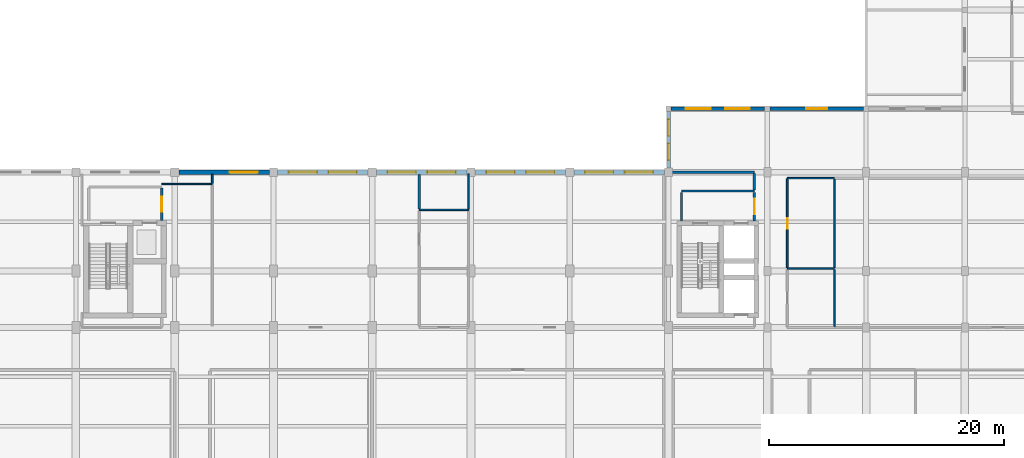
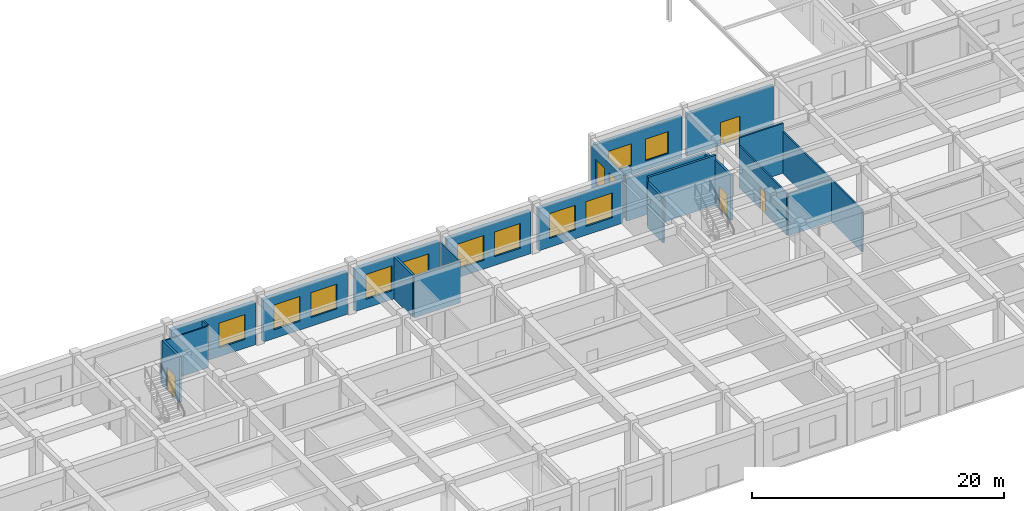
# One storey, part 60 of 80: 24 walls, 13 windows, 4 doors, 17 openings.
"""IFC4 building model written with IfcOpenShell, lengths in metres."""

from ifc_helpers import new_model, si_unit, direction, frame, frame_2d, origin, place, context, subcontext, project, spatial, rectangle, extrude, material, layer, layer_set, type_object, element, fill, save


model = new_model("IFC4")

# Units and contexts
model_context = context("Model", 3, precision=1e-05, world=origin(), true_north=direction((0.0, 1.0)))
body_context = subcontext(model_context, "Body", "Model", "MODEL_VIEW")
ifc_project = project(units=[si_unit("LENGTHUNIT", "METRE"), si_unit("AREAUNIT", "SQUARE_METRE"), si_unit("VOLUMEUNIT", "CUBIC_METRE"), si_unit("PLANEANGLEUNIT", "RADIAN"), si_unit("MASSUNIT", "GRAM", prefix="KILO")], contexts=[model_context])

# Site, building, storey
site_placement = place(None, origin())
site = spatial("IfcSite", under=ifc_project, at=site_placement, CompositionType="ELEMENT")
building_placement = place(site_placement, origin())
building = spatial("IfcBuilding", under=site, at=building_placement, Name="Krzemoval Escarpment Law Courts", CompositionType="ELEMENT")
storey_placement = place(building_placement, origin())
storey = spatial("IfcBuildingStorey", under=building, at=storey_placement, Name="L00", CompositionType="ELEMENT", Elevation=0.0)

# Wall, openings, windows
ifc_material_1 = material(Name="Precast concrete C40/50", Category="concrete")
ifc_layer_1 = layer(ifc_material_1, 0.300048828125)
ifc_layer_set_1 = layer_set([ifc_layer_1], Name="Precast concrete C40/50")
wall_type_1 = type_object("IfcWallType", Name="WL-EXT-300", PredefinedType="SOLIDWALL", material=ifc_layer_set_1)
wall_1_placement = place(storey_placement, frame((109.199951171875, 35.75, 0.0), z_axis=(0.0, 0.0, 1.0), x_axis=(0.0, 1.0, 0.0)))
wall_1 = element("IfcWall", 1, at=wall_1_placement, inside=storey, type_object=wall_type_1, Name="Exterior Wall EW-L00-0152", PredefinedType="SOLIDWALL", context=body_context, shape_type="SweptSolid", body=[
    extrude(rectangle(XDim=4.824951171875, YDim=0.300048828125, at=frame_2d((2.41259765625, 0.0))), origin(), (0.0, 0.0, 1.0), 4.169921875),
])
opening_1_placement = place(wall_1_placement, frame((0.675048828125, 0.0, 0.85009765625)))
opening_1 = element("IfcOpeningElement", 2, at=opening_1_placement, cuts=wall_1, Name="Opening WN-L00-0110", PredefinedType="OPENING", context=body_context, shape_type="SweptSolid", body=[
    extrude(rectangle(XDim=1.39990234375, YDim=2.39990234375, at=frame_2d((0.699951171875, 1.199951171875))), frame((0.0, 0.16502, 0.0), z_axis=(0.0, -1.0, 0.0), x_axis=(1.0, 0.0, 0.0)), (0.0, 0.0, 1.0), 0.33005),
])
opening_2_placement = place(wall_1_placement, frame((2.75, 0.0, 0.85009765625)))
opening_2 = element("IfcOpeningElement", 3, at=opening_2_placement, cuts=wall_1, Name="Opening WN-L00-0111", PredefinedType="OPENING", context=body_context, shape_type="SweptSolid", body=[
    extrude(rectangle(XDim=1.39990234375, YDim=2.39990234375, at=frame_2d((0.699951171875, 1.199951171875))), frame((0.0, 0.16502, 0.0), z_axis=(0.0, -1.0, 0.0), x_axis=(1.0, 0.0, 0.0)), (0.0, 0.0, 1.0), 0.33005),
])
ifc_material_2 = material(Name="Thermally Broken Aluminium Frame with Triple Low-E Acoustic Glass", Category="aluminium")
window_type_1 = type_object("IfcWindowType", Name="WN-1400x2400", PartitioningType="SINGLE_PANEL", PredefinedType="WINDOW", material=ifc_material_2)
window_1_placement = place(opening_1_placement, origin())
window_1 = element("IfcWindow", 4, at=window_1_placement, inside=storey, type_object=window_type_1, Name="Facade Window WN-L00-0110", OverallHeight=2.39990234375, OverallWidth=1.39990234375, PartitioningType="SINGLE_PANEL", PredefinedType="WINDOW", context=body_context, shape_type="SweptSolid", body=[
    extrude(rectangle(XDim=1.39990234375, YDim=2.39990234375, at=frame_2d((0.699951171875, 1.199951171875))), frame((0.0, 0.030029296875, 0.0), z_axis=(0.0, -1.0, 0.0), x_axis=(1.0, 0.0, 0.0)), (0.0, 0.0, 1.0), 0.06005859375),
])
fill(opening_1, window_1)
window_2_placement = place(opening_2_placement, origin())
window_2 = element("IfcWindow", 5, at=window_2_placement, inside=storey, type_object=window_type_1, Name="Facade Window WN-L00-0111", OverallHeight=2.39990234375, OverallWidth=1.39990234375, PartitioningType="SINGLE_PANEL", PredefinedType="WINDOW", context=body_context, shape_type="SweptSolid", body=[
    extrude(rectangle(XDim=1.39990234375, YDim=2.39990234375, at=frame_2d((0.699951171875, 1.199951171875))), frame((0.0, 0.030029296875, 0.0), z_axis=(0.0, -1.0, 0.0), x_axis=(1.0, 0.0, 0.0)), (0.0, 0.0, 1.0), 0.06005859375),
])
fill(opening_2, window_2)

wall_2_placement = place(storey_placement, frame((109.425048828125, 40.800048828125, 0.0), z_axis=(0.0, 0.0, 1.0), x_axis=(1.0, 0.0, 0.0)))
wall_2 = element("IfcWall", 6, at=wall_2_placement, inside=storey, type_object=wall_type_1, Name="Exterior Wall EW-L00-0153", PredefinedType="SOLIDWALL", context=body_context, shape_type="SweptSolid", body=[
    extrude(rectangle(XDim=7.949951171875, YDim=0.300048828125, at=frame_2d((3.97509765625, 0.0))), origin(), (0.0, 0.0, 1.0), 4.070068359375),
])
opening_3_placement = place(wall_2_placement, frame((1.25, 0.0, 0.89990234375)))
opening_3 = element("IfcOpeningElement", 7, at=opening_3_placement, cuts=wall_2, Name="Opening WN-L00-0112", PredefinedType="OPENING", context=body_context, shape_type="SweptSolid", body=[
    extrude(rectangle(XDim=2.10009765625, YDim=2.10009765625, at=frame_2d((1.050048828125, 1.050048828125))), frame((0.0, 0.16502, 0.0), z_axis=(0.0, -1.0, 0.0), x_axis=(1.0, 0.0, 0.0)), (0.0, 0.0, 1.0), 0.33005),
])
opening_4_placement = place(wall_2_placement, frame((4.60009765625, 0.0, 0.89990234375)))
opening_4 = element("IfcOpeningElement", 8, at=opening_4_placement, cuts=wall_2, Name="Opening WN-L00-0113", PredefinedType="OPENING", context=body_context, shape_type="SweptSolid", body=[
    extrude(rectangle(XDim=2.10009765625, YDim=2.10009765625, at=frame_2d((1.050048828125, 1.050048828125))), frame((0.0, 0.16502, 0.0), z_axis=(0.0, -1.0, 0.0), x_axis=(1.0, 0.0, 0.0)), (0.0, 0.0, 1.0), 0.33005),
])
ifc_material_3 = material(Name="Thermally Broken Aluminium Frame with Triple Low-E Acoustic Glass", Category="aluminium")
window_type_2 = type_object("IfcWindowType", Name="WN-2100x2100", PartitioningType="SINGLE_PANEL", PredefinedType="WINDOW", material=ifc_material_3)
window_3_placement = place(opening_3_placement, origin())
window_3 = element("IfcWindow", 9, at=window_3_placement, inside=storey, type_object=window_type_2, Name="Facade Window WN-L00-0112", OverallHeight=2.10009765625, OverallWidth=2.10009765625, PartitioningType="SINGLE_PANEL", PredefinedType="WINDOW", context=body_context, shape_type="SweptSolid", body=[
    extrude(rectangle(XDim=2.10009765625, YDim=2.10009765625, at=frame_2d((1.050048828125, 1.050048828125))), frame((0.0, 0.030029296875, 0.0), z_axis=(0.0, -1.0, 0.0), x_axis=(1.0, 0.0, 0.0)), (0.0, 0.0, 1.0), 0.06005859375),
])
fill(opening_3, window_3)
window_4_placement = place(opening_4_placement, origin())
window_4 = element("IfcWindow", 10, at=window_4_placement, inside=storey, type_object=window_type_2, Name="Facade Window WN-L00-0113", OverallHeight=2.10009765625, OverallWidth=2.10009765625, PartitioningType="SINGLE_PANEL", PredefinedType="WINDOW", context=body_context, shape_type="SweptSolid", body=[
    extrude(rectangle(XDim=2.10009765625, YDim=2.10009765625, at=frame_2d((1.050048828125, 1.050048828125))), frame((0.0, 0.030029296875, 0.0), z_axis=(0.0, -1.0, 0.0), x_axis=(1.0, 0.0, 0.0)), (0.0, 0.0, 1.0), 0.06005859375),
])
fill(opening_4, window_4)

# Wall, opening, door
wall_3_placement = place(storey_placement, frame((117.824951171875, 40.800048828125, 0.0), z_axis=(0.0, 0.0, 1.0), x_axis=(1.0, 0.0, 0.0)))
wall_3 = element("IfcWall", 11, at=wall_3_placement, inside=storey, type_object=wall_type_1, Name="Exterior Wall EW-L00-0154", PredefinedType="SOLIDWALL", context=body_context, shape_type="SweptSolid", body=[
    extrude(rectangle(XDim=7.949951171875, YDim=0.300048828125, at=frame_2d((3.97509765625, 0.0))), origin(), (0.0, 0.0, 1.0), 4.070068359375),
])
opening_5_placement = place(wall_3_placement, frame((3.074951171875, 0.0, 0.0)))
opening_5 = element("IfcOpeningElement", 12, at=opening_5_placement, cuts=wall_3, Name="Opening E06B", PredefinedType="OPENING", context=body_context, shape_type="SweptSolid", body=[
    extrude(rectangle(XDim=1.800048828125, YDim=2.199951171875, at=frame_2d((0.89990234375, 1.10009765625))), frame((0.0, 0.16502, 0.0), z_axis=(0.0, -1.0, 0.0), x_axis=(1.0, 0.0, 0.0)), (0.0, 0.0, 1.0), 0.33005),
])
ifc_material_4 = material(Name="Galvanised Steel S355", Category="steel")
door_type_1 = type_object("IfcDoorType", Name="DR-EXIT-1800x2200", OperationType="SINGLE_SWING_LEFT", PredefinedType="DOOR", material=ifc_material_4)
door_1_placement = place(opening_5_placement, origin())
door_1 = element("IfcDoor", 13, at=door_1_placement, inside=storey, type_object=door_type_1, Name="Final Exit Discharge Door E06B (Stair ST6 Escarpment Passage)", OperationType="DOUBLE_DOOR_SINGLE_SWING", OverallHeight=2.199951171875, OverallWidth=1.800048828125, PredefinedType="DOOR", context=body_context, shape_type="SweptSolid", body=[
    extrude(rectangle(XDim=1.800048828125, YDim=2.199951171875, at=frame_2d((0.89990234375, 1.10009765625))), frame((0.0, 0.02490234375, 0.0), z_axis=(0.0, -1.0, 0.0), x_axis=(1.0, 0.0, 0.0)), (0.0, 0.0, 1.0), 0.050048828125),
])
fill(opening_5, door_1)

# Wall, opening, window
ifc_material_5 = material(Name="Precast concrete C40/50", Category="concrete")
ifc_layer_2 = layer(ifc_material_5, 0.360107421875)
ifc_layer_set_2 = layer_set([ifc_layer_2], Name="Precast concrete C40/50")
wall_type_2 = type_object("IfcWallType", Name="WL-EXT-360", PredefinedType="SOLIDWALL", material=ifc_layer_set_2)
wall_4_placement = place(storey_placement, frame((67.550048828125, 35.39990234375, 0.0), z_axis=(0.0, 0.0, 1.0), x_axis=(1.0, 0.0, 0.0)))
wall_4 = element("IfcWall", 14, at=wall_4_placement, inside=storey, type_object=wall_type_2, Name="Exterior Wall EW-L00-0171", PredefinedType="SOLIDWALL", context=body_context, shape_type="SweptSolid", body=[
    extrude(rectangle(XDim=7.699951171875, YDim=0.360107421875, at=frame_2d((3.85009765625, 0.0))), origin(), (0.0, 0.0, 1.0), 4.070068359375),
])
opening_6_placement = place(wall_4_placement, frame((4.3330078125, 0.0, 0.85009765625)))
opening_6 = element("IfcOpeningElement", 15, at=opening_6_placement, cuts=wall_4, Name="Opening WN-L00-0138", PredefinedType="OPENING", context=body_context, shape_type="SweptSolid", body=[
    extrude(rectangle(XDim=2.39990234375, YDim=2.39990234375, at=frame_2d((1.199951171875, 1.199951171875))), frame((0.0, 0.19505, 0.0), z_axis=(0.0, -1.0, 0.0), x_axis=(1.0, 0.0, 0.0)), (0.0, 0.0, 1.0), 0.39011),
])
ifc_material_6 = material(Name="Thermally Broken Aluminium Frame with Triple Low-E Acoustic Glass", Category="aluminium")
window_type_3 = type_object("IfcWindowType", Name="WN-2400x2400", PartitioningType="SINGLE_PANEL", PredefinedType="WINDOW", material=ifc_material_6)
window_5_placement = place(opening_6_placement, origin())
window_5 = element("IfcWindow", 16, at=window_5_placement, inside=storey, type_object=window_type_3, Name="Facade Window WN-L00-0138", OverallHeight=2.39990234375, OverallWidth=2.39990234375, PartitioningType="SINGLE_PANEL", PredefinedType="WINDOW", context=body_context, shape_type="SweptSolid", body=[
    extrude(rectangle(XDim=2.39990234375, YDim=2.39990234375, at=frame_2d((1.199951171875, 1.199951171875))), frame((0.0, 0.030029296875, 0.0), z_axis=(0.0, -1.0, 0.0), x_axis=(1.0, 0.0, 0.0)), (0.0, 0.0, 1.0), 0.06005859375),
])
fill(opening_6, window_5)

# Wall, openings, windows
wall_5_placement = place(storey_placement, frame((75.949951171875, 35.39990234375, 0.0), z_axis=(0.0, 0.0, 1.0), x_axis=(1.0, 0.0, 0.0)))
wall_5 = element("IfcWall", 17, at=wall_5_placement, inside=storey, type_object=wall_type_2, Name="Exterior Wall EW-L00-0172", PredefinedType="SOLIDWALL", context=body_context, shape_type="SweptSolid", body=[
    extrude(rectangle(XDim=7.699951171875, YDim=0.360107421875, at=frame_2d((3.85009765625, 0.0))), origin(), (0.0, 0.0, 1.0), 4.070068359375),
])
opening_7_placement = place(wall_5_placement, frame((0.967041015625, 0.0, 0.85009765625)))
opening_7 = element("IfcOpeningElement", 18, at=opening_7_placement, cuts=wall_5, Name="Opening WN-L00-0139", PredefinedType="OPENING", context=body_context, shape_type="SweptSolid", body=[
    extrude(rectangle(XDim=2.39990234375, YDim=2.39990234375, at=frame_2d((1.199951171875, 1.199951171875))), frame((0.0, 0.19505, 0.0), z_axis=(0.0, -1.0, 0.0), x_axis=(1.0, 0.0, 0.0)), (0.0, 0.0, 1.0), 0.39011),
])
opening_8_placement = place(wall_5_placement, frame((4.3330078125, 0.0, 0.85009765625)))
opening_8 = element("IfcOpeningElement", 19, at=opening_8_placement, cuts=wall_5, Name="Opening WN-L00-0140", PredefinedType="OPENING", context=body_context, shape_type="SweptSolid", body=[
    extrude(rectangle(XDim=2.39990234375, YDim=2.39990234375, at=frame_2d((1.199951171875, 1.199951171875))), frame((0.0, 0.19505, 0.0), z_axis=(0.0, -1.0, 0.0), x_axis=(1.0, 0.0, 0.0)), (0.0, 0.0, 1.0), 0.39011),
])
window_6_placement = place(opening_7_placement, origin())
window_6 = element("IfcWindow", 20, at=window_6_placement, inside=storey, type_object=window_type_3, Name="Facade Window WN-L00-0139", OverallHeight=2.39990234375, OverallWidth=2.39990234375, PartitioningType="SINGLE_PANEL", PredefinedType="WINDOW", context=body_context, shape_type="SweptSolid", body=[
    extrude(rectangle(XDim=2.39990234375, YDim=2.39990234375, at=frame_2d((1.199951171875, 1.199951171875))), frame((0.0, 0.030029296875, 0.0), z_axis=(0.0, -1.0, 0.0), x_axis=(1.0, 0.0, 0.0)), (0.0, 0.0, 1.0), 0.06005859375),
])
fill(opening_7, window_6)
window_7_placement = place(opening_8_placement, origin())
window_7 = element("IfcWindow", 21, at=window_7_placement, inside=storey, type_object=window_type_3, Name="Facade Window WN-L00-0140", OverallHeight=2.39990234375, OverallWidth=2.39990234375, PartitioningType="SINGLE_PANEL", PredefinedType="WINDOW", context=body_context, shape_type="SweptSolid", body=[
    extrude(rectangle(XDim=2.39990234375, YDim=2.39990234375, at=frame_2d((1.199951171875, 1.199951171875))), frame((0.0, 0.030029296875, 0.0), z_axis=(0.0, -1.0, 0.0), x_axis=(1.0, 0.0, 0.0)), (0.0, 0.0, 1.0), 0.06005859375),
])
fill(opening_8, window_7)

wall_6_placement = place(storey_placement, frame((84.35009765625, 35.39990234375, 0.0), z_axis=(0.0, 0.0, 1.0), x_axis=(1.0, 0.0, 0.0)))
wall_6 = element("IfcWall", 22, at=wall_6_placement, inside=storey, type_object=wall_type_2, Name="Exterior Wall EW-L00-0173", PredefinedType="SOLIDWALL", context=body_context, shape_type="SweptSolid", body=[
    extrude(rectangle(XDim=7.699951171875, YDim=0.360107421875, at=frame_2d((3.85009765625, 0.0))), origin(), (0.0, 0.0, 1.0), 4.070068359375),
])
opening_9_placement = place(wall_6_placement, frame((0.967041015625, 0.0, 0.85009765625)))
opening_9 = element("IfcOpeningElement", 23, at=opening_9_placement, cuts=wall_6, Name="Opening WN-L00-0141", PredefinedType="OPENING", context=body_context, shape_type="SweptSolid", body=[
    extrude(rectangle(XDim=2.39990234375, YDim=2.39990234375, at=frame_2d((1.199951171875, 1.199951171875))), frame((0.0, 0.19505, 0.0), z_axis=(0.0, -1.0, 0.0), x_axis=(1.0, 0.0, 0.0)), (0.0, 0.0, 1.0), 0.39011),
])
opening_10_placement = place(wall_6_placement, frame((4.3330078125, 0.0, 0.85009765625)))
opening_10 = element("IfcOpeningElement", 24, at=opening_10_placement, cuts=wall_6, Name="Opening WN-L00-0142", PredefinedType="OPENING", context=body_context, shape_type="SweptSolid", body=[
    extrude(rectangle(XDim=2.39990234375, YDim=2.39990234375, at=frame_2d((1.199951171875, 1.199951171875))), frame((0.0, 0.19505, 0.0), z_axis=(0.0, -1.0, 0.0), x_axis=(1.0, 0.0, 0.0)), (0.0, 0.0, 1.0), 0.39011),
])
window_8_placement = place(opening_9_placement, origin())
window_8 = element("IfcWindow", 25, at=window_8_placement, inside=storey, type_object=window_type_3, Name="Facade Window WN-L00-0141", OverallHeight=2.39990234375, OverallWidth=2.39990234375, PartitioningType="SINGLE_PANEL", PredefinedType="WINDOW", context=body_context, shape_type="SweptSolid", body=[
    extrude(rectangle(XDim=2.39990234375, YDim=2.39990234375, at=frame_2d((1.199951171875, 1.199951171875))), frame((0.0, 0.030029296875, 0.0), z_axis=(0.0, -1.0, 0.0), x_axis=(1.0, 0.0, 0.0)), (0.0, 0.0, 1.0), 0.06005859375),
])
fill(opening_9, window_8)
window_9_placement = place(opening_10_placement, origin())
window_9 = element("IfcWindow", 26, at=window_9_placement, inside=storey, type_object=window_type_3, Name="Facade Window WN-L00-0142", OverallHeight=2.39990234375, OverallWidth=2.39990234375, PartitioningType="SINGLE_PANEL", PredefinedType="WINDOW", context=body_context, shape_type="SweptSolid", body=[
    extrude(rectangle(XDim=2.39990234375, YDim=2.39990234375, at=frame_2d((1.199951171875, 1.199951171875))), frame((0.0, 0.030029296875, 0.0), z_axis=(0.0, -1.0, 0.0), x_axis=(1.0, 0.0, 0.0)), (0.0, 0.0, 1.0), 0.06005859375),
])
fill(opening_10, window_9)

wall_7_placement = place(storey_placement, frame((92.75, 35.39990234375, 0.0), z_axis=(0.0, 0.0, 1.0), x_axis=(1.0, 0.0, 0.0)))
wall_7 = element("IfcWall", 27, at=wall_7_placement, inside=storey, type_object=wall_type_2, Name="Exterior Wall EW-L00-0174", PredefinedType="SOLIDWALL", context=body_context, shape_type="SweptSolid", body=[
    extrude(rectangle(XDim=7.699951171875, YDim=0.360107421875, at=frame_2d((3.85009765625, 0.0))), origin(), (0.0, 0.0, 1.0), 4.070068359375),
])
opening_11_placement = place(wall_7_placement, frame((0.967041015625, 0.0, 0.85009765625)))
opening_11 = element("IfcOpeningElement", 28, at=opening_11_placement, cuts=wall_7, Name="Opening WN-L00-0143", PredefinedType="OPENING", context=body_context, shape_type="SweptSolid", body=[
    extrude(rectangle(XDim=2.39990234375, YDim=2.39990234375, at=frame_2d((1.199951171875, 1.199951171875))), frame((0.0, 0.19505, 0.0), z_axis=(0.0, -1.0, 0.0), x_axis=(1.0, 0.0, 0.0)), (0.0, 0.0, 1.0), 0.39011),
])
opening_12_placement = place(wall_7_placement, frame((4.3330078125, 0.0, 0.85009765625)))
opening_12 = element("IfcOpeningElement", 29, at=opening_12_placement, cuts=wall_7, Name="Opening WN-L00-0144", PredefinedType="OPENING", context=body_context, shape_type="SweptSolid", body=[
    extrude(rectangle(XDim=2.39990234375, YDim=2.39990234375, at=frame_2d((1.199951171875, 1.199951171875))), frame((0.0, 0.19505, 0.0), z_axis=(0.0, -1.0, 0.0), x_axis=(1.0, 0.0, 0.0)), (0.0, 0.0, 1.0), 0.39011),
])
window_10_placement = place(opening_11_placement, origin())
window_10 = element("IfcWindow", 30, at=window_10_placement, inside=storey, type_object=window_type_3, Name="Facade Window WN-L00-0143", OverallHeight=2.39990234375, OverallWidth=2.39990234375, PartitioningType="SINGLE_PANEL", PredefinedType="WINDOW", context=body_context, shape_type="SweptSolid", body=[
    extrude(rectangle(XDim=2.39990234375, YDim=2.39990234375, at=frame_2d((1.199951171875, 1.199951171875))), frame((0.0, 0.030029296875, 0.0), z_axis=(0.0, -1.0, 0.0), x_axis=(1.0, 0.0, 0.0)), (0.0, 0.0, 1.0), 0.06005859375),
])
fill(opening_11, window_10)
window_11_placement = place(opening_12_placement, origin())
window_11 = element("IfcWindow", 31, at=window_11_placement, inside=storey, type_object=window_type_3, Name="Facade Window WN-L00-0144", OverallHeight=2.39990234375, OverallWidth=2.39990234375, PartitioningType="SINGLE_PANEL", PredefinedType="WINDOW", context=body_context, shape_type="SweptSolid", body=[
    extrude(rectangle(XDim=2.39990234375, YDim=2.39990234375, at=frame_2d((1.199951171875, 1.199951171875))), frame((0.0, 0.030029296875, 0.0), z_axis=(0.0, -1.0, 0.0), x_axis=(1.0, 0.0, 0.0)), (0.0, 0.0, 1.0), 0.06005859375),
])
fill(opening_12, window_11)

wall_8_placement = place(storey_placement, frame((101.14990234375, 35.39990234375, 0.0), z_axis=(0.0, 0.0, 1.0), x_axis=(1.0, 0.0, 0.0)))
wall_8 = element("IfcWall", 32, at=wall_8_placement, inside=storey, type_object=wall_type_2, Name="Exterior Wall EW-L00-0175", PredefinedType="SOLIDWALL", context=body_context, shape_type="SweptSolid", body=[
    extrude(rectangle(XDim=7.7001953125, YDim=0.360107421875, at=frame_2d((3.85009765625, 0.0))), origin(), (0.0, 0.0, 1.0), 4.070068359375),
])
opening_13_placement = place(wall_8_placement, frame((0.967041015625, 0.0, 0.85009765625)))
opening_13 = element("IfcOpeningElement", 33, at=opening_13_placement, cuts=wall_8, Name="Opening WN-L00-0145", PredefinedType="OPENING", context=body_context, shape_type="SweptSolid", body=[
    extrude(rectangle(XDim=2.39990234375, YDim=2.39990234375, at=frame_2d((1.199951171875, 1.199951171875))), frame((0.0, 0.19505, 0.0), z_axis=(0.0, -1.0, 0.0), x_axis=(1.0, 0.0, 0.0)), (0.0, 0.0, 1.0), 0.39011),
])
opening_14_placement = place(wall_8_placement, frame((4.3330078125, 0.0, 0.85009765625)))
opening_14 = element("IfcOpeningElement", 34, at=opening_14_placement, cuts=wall_8, Name="Opening WN-L00-0146", PredefinedType="OPENING", context=body_context, shape_type="SweptSolid", body=[
    extrude(rectangle(XDim=2.39990234375, YDim=2.39990234375, at=frame_2d((1.199951171875, 1.199951171875))), frame((0.0, 0.19505, 0.0), z_axis=(0.0, -1.0, 0.0), x_axis=(1.0, 0.0, 0.0)), (0.0, 0.0, 1.0), 0.39011),
])
window_12_placement = place(opening_13_placement, origin())
window_12 = element("IfcWindow", 35, at=window_12_placement, inside=storey, type_object=window_type_3, Name="Facade Window WN-L00-0145", OverallHeight=2.39990234375, OverallWidth=2.39990234375, PartitioningType="SINGLE_PANEL", PredefinedType="WINDOW", context=body_context, shape_type="SweptSolid", body=[
    extrude(rectangle(XDim=2.39990234375, YDim=2.39990234375, at=frame_2d((1.199951171875, 1.199951171875))), frame((0.0, 0.030029296875, 0.0), z_axis=(0.0, -1.0, 0.0), x_axis=(1.0, 0.0, 0.0)), (0.0, 0.0, 1.0), 0.06005859375),
])
fill(opening_13, window_12)
window_13_placement = place(opening_14_placement, origin())
window_13 = element("IfcWindow", 36, at=window_13_placement, inside=storey, type_object=window_type_3, Name="Facade Window WN-L00-0146", OverallHeight=2.39990234375, OverallWidth=2.39990234375, PartitioningType="SINGLE_PANEL", PredefinedType="WINDOW", context=body_context, shape_type="SweptSolid", body=[
    extrude(rectangle(XDim=2.39990234375, YDim=2.39990234375, at=frame_2d((1.199951171875, 1.199951171875))), frame((0.0, 0.030029296875, 0.0), z_axis=(0.0, -1.0, 0.0), x_axis=(1.0, 0.0, 0.0)), (0.0, 0.0, 1.0), 0.06005859375),
])
fill(opening_14, window_13)

# Walls
ifc_material_7 = material(Name="Light Internal Subdivision Partition", Category="gypsum")
ifc_layer_3 = layer(ifc_material_7, 0.114990234375)
ifc_layer_set_3 = layer_set([ifc_layer_3], Name="Light Internal Subdivision Partition")
wall_type_3 = type_object("IfcWallType", Name="WL-PRT-115", PredefinedType="PARTITIONING", material=ifc_layer_set_3)
wall_9_placement = place(storey_placement, frame((66.10009765625, 34.39990234375, 0.0), z_axis=(0.0, 0.0, 1.0), x_axis=(1.0, 0.0, 0.0)))
element("IfcWall", 37, at=wall_9_placement, inside=storey, type_object=wall_type_3, Name="Interior Partition PW-L00-0107", PredefinedType="PARTITIONING", context=body_context, shape_type="SweptSolid", body=[
    extrude(rectangle(XDim=4.2998046875, YDim=0.114990234375, at=frame_2d((2.14990234375, 0.0))), origin(), (0.0, 0.0, 1.0), 4.02001953125),
])
ifc_material_8 = material(Name="Sanitary Moisture-Resistant Partition", Category="gypsum")
ifc_layer_4 = layer(ifc_material_8, 0.139892578125)
ifc_layer_set_4 = layer_set([ifc_layer_4], Name="Sanitary Moisture-Resistant Partition")
wall_type_4 = type_object("IfcWallType", Name="WL-PRT-140", PredefinedType="PARTITIONING", material=ifc_layer_set_4)
wall_10_placement = place(storey_placement, frame((119.300048828125, 27.199951171875, 0.0), z_axis=(0.0, 0.0, 1.0), x_axis=(1.0, 0.0, 0.0)))
element("IfcWall", 38, at=wall_10_placement, inside=storey, type_object=wall_type_4, Name="Interior Partition PW-L00-0103", PredefinedType="PARTITIONING", context=body_context, shape_type="SweptSolid", body=[
    extrude(rectangle(XDim=4.0, YDim=0.139892578125, at=frame_2d((2.0, 0.0))), origin(), (0.0, 0.0, 1.0), 4.070068359375),
])
wall_11_placement = place(storey_placement, frame((88.0, 32.199951171875, 0.0), z_axis=(0.0, 0.0, 1.0), x_axis=(1.0, 0.0, 0.0)))
element("IfcWall", 39, at=wall_11_placement, inside=storey, type_object=wall_type_4, Name="Interior Partition PW-L00-0104", PredefinedType="PARTITIONING", context=body_context, shape_type="SweptSolid", body=[
    extrude(rectangle(XDim=4.199951171875, YDim=0.139892578125, at=frame_2d((2.10009765625, 0.0))), origin(), (0.0, 0.0, 1.0), 4.02001953125),
])
wall_12_placement = place(storey_placement, frame((119.300048828125, 34.89990234375, 0.0), z_axis=(0.0, 0.0, 1.0), x_axis=(1.0, 0.0, 0.0)))
element("IfcWall", 40, at=wall_12_placement, inside=storey, type_object=wall_type_4, Name="Interior Partition PW-L00-0108", PredefinedType="PARTITIONING", context=body_context, shape_type="SweptSolid", body=[
    extrude(rectangle(XDim=4.0, YDim=0.139892578125, at=frame_2d((2.0, 0.0))), origin(), (0.0, 0.0, 1.0), 4.820068359375),
])
wall_13_placement = place(storey_placement, frame((70.39990234375, 34.458984375, 0.0), z_axis=(0.0, 0.0, 1.0), x_axis=(0.0, 1.0, 0.0)))
element("IfcWall", 41, at=wall_13_placement, inside=storey, type_object=wall_type_4, Name="Interior Partition PW-L00-0181", PredefinedType="PARTITIONING", context=body_context, shape_type="SweptSolid", body=[
    extrude(rectangle(XDim=0.759033203125, YDim=0.139892578125, at=frame_2d((0.37939453125, 0.0))), origin(), (0.0, 0.0, 1.0), 4.070068359375),
])
wall_14_placement = place(storey_placement, frame((92.199951171875, 32.27197265625, 0.0), z_axis=(0.0, 0.0, 1.0), x_axis=(0.0, 1.0, 0.0)))
element("IfcWall", 42, at=wall_14_placement, inside=storey, type_object=wall_type_4, Name="Interior Partition PW-L00-0189", PredefinedType="PARTITIONING", context=body_context, shape_type="SweptSolid", body=[
    extrude(rectangle(XDim=2.97998046875, YDim=0.139892578125, at=frame_2d((1.489990234375, 0.0))), origin(), (0.0, 0.0, 1.0), 4.02001953125),
])

# Wall, opening, door
wall_15_placement = place(storey_placement, frame((119.300048828125, 27.27197265625, 0.0), z_axis=(0.0, 0.0, 1.0), x_axis=(0.0, 1.0, 0.0)))
wall_15 = element("IfcWall", 43, at=wall_15_placement, inside=storey, type_object=wall_type_4, Name="Interior Partition PW-L00-0200", PredefinedType="PARTITIONING", context=body_context, shape_type="SweptSolid", body=[
    extrude(rectangle(XDim=7.555908203125, YDim=0.139892578125, at=frame_2d((3.77783203125, 0.0))), origin(), (0.0, 0.0, 1.0), 4.070068359375),
])
opening_15_placement = place(wall_15_placement, frame((3.327880859375, 0.0, 0.0)))
opening_15 = element("IfcOpeningElement", 44, at=opening_15_placement, cuts=wall_15, Name="Opening D-L00-0058", PredefinedType="OPENING", context=body_context, shape_type="SweptSolid", body=[
    extrude(rectangle(XDim=0.89990234375, YDim=2.10009765625, at=frame_2d((0.449951171875, 1.050048828125))), frame((0.0, 0.08495, 0.0), z_axis=(0.0, -1.0, 0.0), x_axis=(1.0, 0.0, 0.0)), (0.0, 0.0, 1.0), 0.16989),
])
ifc_material_9 = material(Name="Engineered Solid-Core Oak Acoustic Timber", Category="wood")
door_type_2 = type_object("IfcDoorType", Name="DR-INT-900x2100", OperationType="SINGLE_SWING_LEFT", PredefinedType="DOOR", material=ifc_material_9)
door_2_placement = place(opening_15_placement, origin())
door_2 = element("IfcDoor", 45, at=door_2_placement, inside=storey, type_object=door_type_2, Name="Room Door D-L00-0058", OperationType="SINGLE_SWING_RIGHT", OverallHeight=2.10009765625, OverallWidth=0.89990234375, PredefinedType="DOOR", context=body_context, shape_type="SweptSolid", body=[
    extrude(rectangle(XDim=0.89990234375, YDim=2.10009765625, at=frame_2d((0.449951171875, 1.050048828125))), frame((0.0, 0.02490234375, 0.0), z_axis=(0.0, -1.0, 0.0), x_axis=(1.0, 0.0, 0.0)), (0.0, 0.0, 1.0), 0.050048828125),
])
fill(opening_15, door_2)

# Walls
wall_16_placement = place(storey_placement, frame((123.300048828125, 22.27197265625, 0.0), z_axis=(0.0, 0.0, 1.0), x_axis=(0.0, 1.0, 0.0)))
element("IfcWall", 46, at=wall_16_placement, inside=storey, type_object=wall_type_4, Name="Interior Partition PW-L00-0202", PredefinedType="PARTITIONING", context=body_context, shape_type="SweptSolid", body=[
    extrude(rectangle(XDim=4.85595703125, YDim=0.139892578125, at=frame_2d((2.427978515625, 0.0))), origin(), (0.0, 0.0, 1.0), 4.070068359375),
])
wall_17_placement = place(storey_placement, frame((123.300048828125, 27.27197265625, 0.0), z_axis=(0.0, 0.0, 1.0), x_axis=(0.0, 1.0, 0.0)))
element("IfcWall", 47, at=wall_17_placement, inside=storey, type_object=wall_type_4, Name="Interior Partition PW-L00-0203", PredefinedType="PARTITIONING", context=body_context, shape_type="SweptSolid", body=[
    extrude(rectangle(XDim=7.51611328125, YDim=0.139892578125, at=frame_2d((3.758056640625, 0.0))), origin(), (0.0, 0.0, 1.0), 4.070068359375),
])
ifc_material_10 = material(Name="Fire-Rated Corridor Partition Wall", Category="gypsum")
ifc_layer_5 = layer(ifc_material_10, 0.199951171875)
ifc_layer_set_5 = layer_set([ifc_layer_5], Name="Fire-Rated Corridor Partition Wall")
wall_type_5 = type_object("IfcWallType", Name="WL-PRT-200", PredefinedType="PARTITIONING", material=ifc_layer_set_5)
wall_18_placement = place(storey_placement, frame((110.300048828125, 33.800048828125, 0.0), z_axis=(0.0, 0.0, 1.0), x_axis=(1.0, 0.0, 0.0)))
element("IfcWall", 48, at=wall_18_placement, inside=storey, type_object=wall_type_5, Name="Interior Partition PW-L00-0105", PredefinedType="PARTITIONING", context=body_context, shape_type="SweptSolid", body=[
    extrude(rectangle(XDim=6.199951171875, YDim=0.199951171875, at=frame_2d((3.10009765625, 0.0))), origin(), (0.0, 0.0, 1.0), 4.820068359375),
])

# Wall, opening, door
wall_19_placement = place(storey_placement, frame((66.10009765625, 31.302001953125, 0.0), z_axis=(0.0, 0.0, 1.0), x_axis=(0.0, 1.0, 0.0)))
wall_19 = element("IfcWall", 49, at=wall_19_placement, inside=storey, type_object=wall_type_5, Name="Interior Partition PW-L00-0176", PredefinedType="PARTITIONING", context=body_context, shape_type="SweptSolid", body=[
    extrude(rectangle(XDim=2.74609375, YDim=0.199951171875, at=frame_2d((1.373046875, 0.0))), origin(), (0.0, 0.0, 1.0), 4.3701171875),
])
opening_16_placement = place(wall_19_placement, frame((0.722900390625, 0.0, 0.0)))
opening_16 = element("IfcOpeningElement", 50, at=opening_16_placement, cuts=wall_19, Name="Opening D-L00-0038", PredefinedType="OPENING", context=body_context, shape_type="SweptSolid", body=[
    extrude(rectangle(XDim=1.300048828125, YDim=2.199951171875, at=frame_2d((0.64990234375, 1.10009765625))), frame((0.0, 0.11498, 0.0), z_axis=(0.0, -1.0, 0.0), x_axis=(1.0, 0.0, 0.0)), (0.0, 0.0, 1.0), 0.22995),
])
ifc_material_11 = material(Name="Galvanised Steel S355", Category="steel")
door_type_3 = type_object("IfcDoorType", Name="DR-STR-1300x2200", OperationType="SINGLE_SWING_LEFT", PredefinedType="DOOR", material=ifc_material_11)
door_3_placement = place(opening_16_placement, origin())
door_3 = element("IfcDoor", 51, at=door_3_placement, inside=storey, type_object=door_type_3, Name="Room Door D-L00-0038", OperationType="SINGLE_SWING_LEFT", OverallHeight=2.199951171875, OverallWidth=1.300048828125, PredefinedType="DOOR", context=body_context, shape_type="SweptSolid", body=[
    extrude(rectangle(XDim=1.300048828125, YDim=2.199951171875, at=frame_2d((0.64990234375, 1.10009765625))), frame((0.0, 0.02490234375, 0.0), z_axis=(0.0, -1.0, 0.0), x_axis=(1.0, 0.0, 0.0)), (0.0, 0.0, 1.0), 0.050048828125),
])
fill(opening_16, door_3)

# Wall
wall_20_placement = place(storey_placement, frame((110.300048828125, 31.251953125, 0.0), z_axis=(0.0, 0.0, 1.0), x_axis=(0.0, 1.0, 0.0)))
element("IfcWall", 52, at=wall_20_placement, inside=storey, type_object=wall_type_5, Name="Interior Partition PW-L00-0194", PredefinedType="PARTITIONING", context=body_context, shape_type="SweptSolid", body=[
    extrude(rectangle(XDim=2.446044921875, YDim=0.199951171875, at=frame_2d((1.22314453125, 0.0))), origin(), (0.0, 0.0, 1.0), 4.3701171875),
])

# Wall, opening, door
wall_21_placement = place(storey_placement, frame((116.5, 31.251953125, 0.0), z_axis=(0.0, 0.0, 1.0), x_axis=(0.0, 1.0, 0.0)))
wall_21 = element("IfcWall", 53, at=wall_21_placement, inside=storey, type_object=wall_type_5, Name="Interior Partition PW-L00-0195", PredefinedType="PARTITIONING", context=body_context, shape_type="SweptSolid", body=[
    extrude(rectangle(XDim=2.446044921875, YDim=0.199951171875, at=frame_2d((1.22314453125, 0.0))), origin(), (0.0, 0.0, 1.0), 4.3701171875),
])
opening_17_placement = place(wall_21_placement, frame((0.572998046875, 0.0, 0.0)))
opening_17 = element("IfcOpeningElement", 54, at=opening_17_placement, cuts=wall_21, Name="Opening D-L00-0040", PredefinedType="OPENING", context=body_context, shape_type="SweptSolid", body=[
    extrude(rectangle(XDim=1.300048828125, YDim=2.199951171875, at=frame_2d((0.64990234375, 1.10009765625))), frame((0.0, 0.11498, 0.0), z_axis=(0.0, -1.0, 0.0), x_axis=(1.0, 0.0, 0.0)), (0.0, 0.0, 1.0), 0.22995),
])
door_4_placement = place(opening_17_placement, origin())
door_4 = element("IfcDoor", 55, at=door_4_placement, inside=storey, type_object=door_type_3, Name="Room Door D-L00-0040", OperationType="SINGLE_SWING_LEFT", OverallHeight=2.199951171875, OverallWidth=1.300048828125, PredefinedType="DOOR", context=body_context, shape_type="SweptSolid", body=[
    extrude(rectangle(XDim=1.300048828125, YDim=2.199951171875, at=frame_2d((0.64990234375, 1.10009765625))), frame((0.0, 0.02490234375, 0.0), z_axis=(0.0, -1.0, 0.0), x_axis=(1.0, 0.0, 0.0)), (0.0, 0.0, 1.0), 0.050048828125),
])
fill(opening_17, door_4)

# Walls
ifc_material_12 = material(Name="Acoustic Calcium-Silicate Block Wall", Category="masonry")
ifc_layer_6 = layer(ifc_material_12, 0.22998046875)
ifc_layer_set_6 = layer_set([ifc_layer_6], Name="Acoustic Calcium-Silicate Block Wall")
wall_type_6 = type_object("IfcWallType", Name="WL-PRT-230", PredefinedType="SOLIDWALL", material=ifc_layer_set_6)
wall_22_placement = place(storey_placement, frame((109.212890625, 35.39990234375, 0.0), z_axis=(0.0, 0.0, 1.0), x_axis=(1.0, 0.0, 0.0)))
element("IfcWall", 56, at=wall_22_placement, inside=storey, type_object=wall_type_6, Name="Interior Partition PW-L00-0114", PredefinedType="SOLIDWALL", context=body_context, shape_type="SweptSolid", body=[
    extrude(rectangle(XDim=7.287109375, YDim=0.22998046875, at=frame_2d((3.6435546875, 0.0))), origin(), (0.0, 0.0, 1.0), 4.070068359375),
])
wall_23_placement = place(storey_placement, frame((88.0, 32.27197265625, 0.0), z_axis=(0.0, 0.0, 1.0), x_axis=(0.0, 1.0, 0.0)))
element("IfcWall", 57, at=wall_23_placement, inside=storey, type_object=wall_type_6, Name="Interior Partition PW-L00-0184", PredefinedType="SOLIDWALL", context=body_context, shape_type="SweptSolid", body=[
    extrude(rectangle(XDim=2.946044921875, YDim=0.22998046875, at=frame_2d((1.47314453125, 0.0))), origin(), (0.0, 0.0, 1.0), 4.070068359375),
])
wall_24_placement = place(storey_placement, frame((116.5, 33.902099609375, 0.0), z_axis=(0.0, 0.0, 1.0), x_axis=(0.0, 1.0, 0.0)))
element("IfcWall", 58, at=wall_24_placement, inside=storey, type_object=wall_type_6, Name="Interior Partition PW-L00-0197", PredefinedType="SOLIDWALL", context=body_context, shape_type="SweptSolid", body=[
    extrude(rectangle(XDim=1.380859375, YDim=0.22998046875, at=frame_2d((0.6904296875, 0.0))), origin(), (0.0, 0.0, 1.0), 4.070068359375),
])

save(model, "model.ifc")
